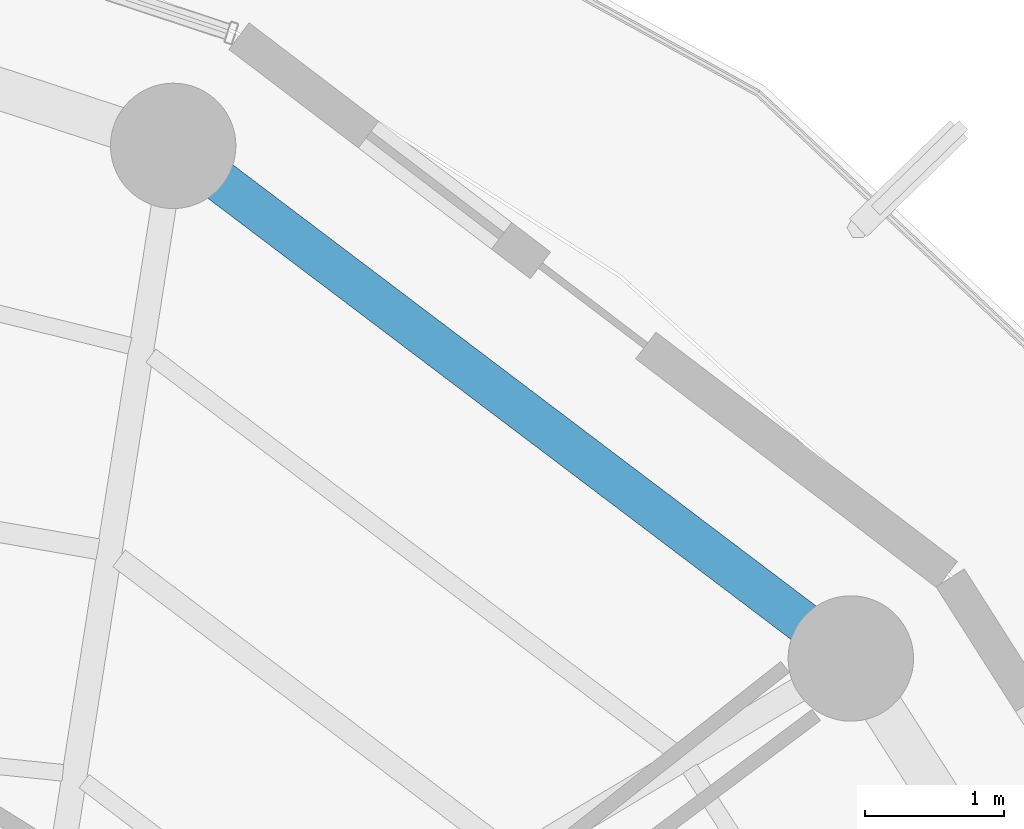
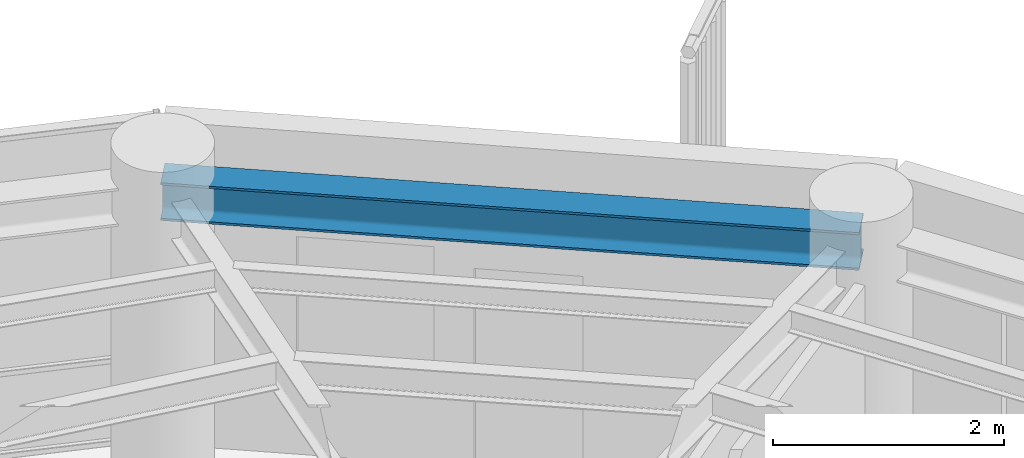
# One storey, part 12 of 23: 1 beam.
"""IFC4 building model written with IfcOpenShell, lengths in metres."""

from ifc_helpers import new_model, si_unit, direction, frame, origin, origin_2d, place, context, subcontext, project, spatial, i_section, extrude, material, material_profile, profile_set, type_object, element, save


model = new_model("IFC4")

# Units and contexts
model_context = context("Model", 3, precision=1e-05, world=origin(), true_north=direction((0.0, 1.0)))
body_context = subcontext(model_context, "Body", "Model", "MODEL_VIEW")
ifc_project = project(units=[si_unit("LENGTHUNIT", "METRE"), si_unit("AREAUNIT", "SQUARE_METRE"), si_unit("VOLUMEUNIT", "CUBIC_METRE"), si_unit("PLANEANGLEUNIT", "RADIAN"), si_unit("MASSUNIT", "GRAM", prefix="KILO")], contexts=[model_context])

# Site, building, storey
site_placement = place(None, origin())
site = spatial("IfcSite", under=ifc_project, at=site_placement, CompositionType="ELEMENT")
building_placement = place(site_placement, origin())
building = spatial("IfcBuilding", under=site, at=building_placement, Name="Kelanora Arch Commons", CompositionType="ELEMENT")
storey_placement = place(building_placement, frame((0.0, 0.0, 289.949951171875)))
storey = spatial("IfcBuildingStorey", under=building, at=storey_placement, Name="L74", CompositionType="ELEMENT", Elevation=289.949951171875)

# Beam
ifc_material = material(Name="Steel S355", Category="steel")
ifc_material_profile = material_profile(ifc_material, i_section(OverallWidth=0.300048828125, OverallDepth=0.39990234375, WebThickness=0.013427734375, FlangeThickness=0.02392578125, FilletRadius=0.027099609375, at=origin_2d()), Name="HEB400")
ifc_profile_set = profile_set([ifc_material_profile], Name="Steel S355")
beam_type = type_object("IfcBeamType", Name="BM-SPN-Z4", PredefinedType="SPANDREL", material=ifc_profile_set)
beam_placement = place(storey_placement, frame((88.00341796875, 68.593017578125, 3.22998046875), z_axis=(-0.797509460967, 0.603306439273, 0.0), x_axis=(-0.603306439273, -0.797509460967, 0.0)))
element("IfcBeam", 1, at=beam_placement, inside=storey, type_object=beam_type, Name="Perimeter Spandrel Beam BS-04 L74", PredefinedType="SPANDREL", context=body_context, shape_type="SweptSolid", body=[
    extrude(i_section(OverallWidth=0.300048828125, OverallDepth=0.39990234375, WebThickness=0.013427734375, FlangeThickness=0.02392578125, FilletRadius=0.027099609375, at=origin_2d()), origin(), (0.0, 0.0, 1.0), 6.098388671875),
])

save(model, "model.ifc")
